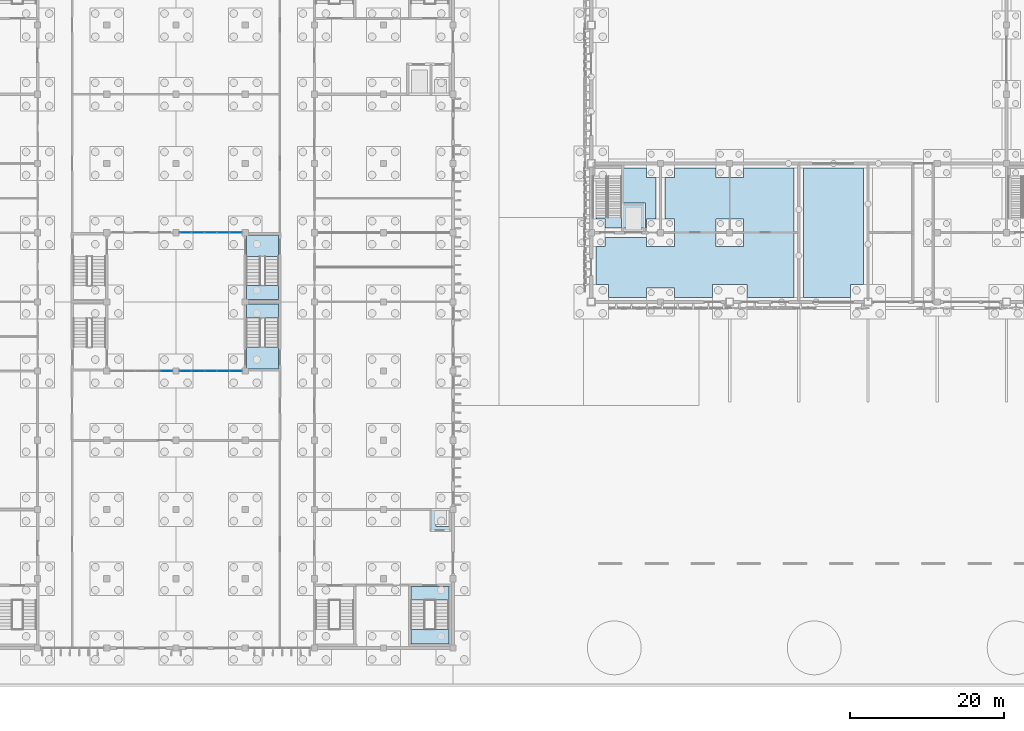
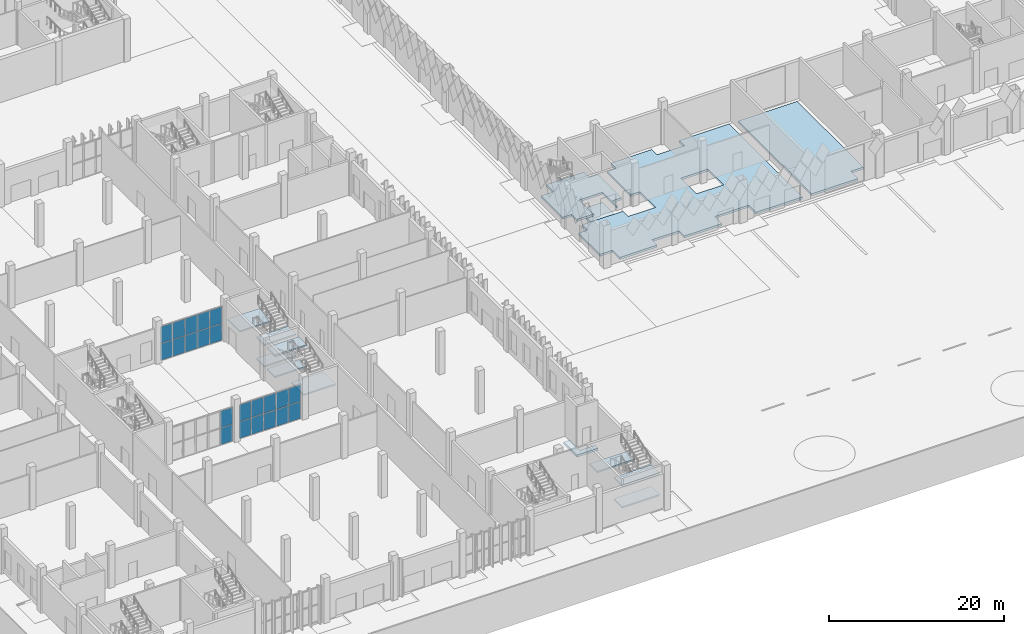
# One storey, part 66 of 198: 22 plates, 14 slabs, 6 elements without a shape of their own.
"""IFC4 building model written with IfcOpenShell, lengths in metres."""

from ifc_helpers import new_model, si_unit, direction, frame, origin, origin_2d, place, context, subcontext, project, spatial, polyline, rectangle, outline, extrude, material, layer, layer_set, type_object, element, aggregate, save


model = new_model("IFC4")

# Units and contexts
model_context = context("Model", 3, precision=1e-05, world=origin(), true_north=direction((0.0, 1.0)))
body_context = subcontext(model_context, "Body", "Model", "MODEL_VIEW")
ifc_project = project(units=[si_unit("LENGTHUNIT", "METRE"), si_unit("AREAUNIT", "SQUARE_METRE"), si_unit("VOLUMEUNIT", "CUBIC_METRE"), si_unit("PLANEANGLEUNIT", "RADIAN"), si_unit("MASSUNIT", "GRAM", prefix="KILO")], contexts=[model_context])

# Site, building, storey
site_placement = place(None, origin())
site = spatial("IfcSite", under=ifc_project, at=site_placement, CompositionType="ELEMENT")
building_placement = place(site_placement, origin())
building = spatial("IfcBuilding", under=site, at=building_placement, Name="Opaline Strait Convention Centre", CompositionType="ELEMENT")
storey_placement = place(building_placement, origin())
storey = spatial("IfcBuildingStorey", under=building, at=storey_placement, Name="L00", CompositionType="ELEMENT", Elevation=0.0)

# Curtain wall, plates
ifc_material_1 = material(Name="Aluminium framed double glazing", Category="aluminium")
ifc_layer_1 = layer(ifc_material_1, 0.199951171875)
ifc_layer_set_1 = layer_set([ifc_layer_1], Name="Aluminium framed double glazing")
curtain_wall_type = type_object("IfcCurtainWallType", Name="Curtain wall 1500 module", PredefinedType="NOTDEFINED", material=ifc_layer_set_1)
curtain_wall_1_placement = place(storey_placement, origin())
curtain_wall_1 = element("IfcCurtainWall", 1, at=curtain_wall_1_placement, inside=storey, type_object=curtain_wall_type, Name="L00 court glazing Sc 1", PredefinedType="NOTDEFINED")
ifc_material_2 = material(Name="Double glazed unit low emissivity", Category="glass")
ifc_layer_2 = layer(ifc_material_2, 0.028076171875)
ifc_layer_set_2 = layer_set([ifc_layer_2], Name="Double glazed unit low emissivity")
plate_type = type_object("IfcPlateType", Name="Curtain wall glass panel 28", PredefinedType="CURTAIN_PANEL", material=ifc_layer_set_2)
plate_1_placement = place(storey_placement, frame((43.76513671875, 45.0, 0.06005859375), z_axis=(0.0, 0.0, 1.0), x_axis=(1.0, 0.0, 0.0)))
plate_1 = element("IfcPlate", 2, at=plate_1_placement, type_object=plate_type, Name="RCW1 panel 5.1", PredefinedType="CURTAIN_PANEL", context=body_context, shape_type="SweptSolid", body=[
    extrude(rectangle(XDim=1.550048828125, YDim=0.028076171875, at=origin_2d()), origin(), (0.0, 0.0, 1.0), 2.320068359375),
])
plate_2_placement = place(storey_placement, frame((43.76513671875, 45.0, 2.43994140625), z_axis=(0.0, 0.0, 1.0), x_axis=(1.0, 0.0, 0.0)))
plate_2 = element("IfcPlate", 3, at=plate_2_placement, type_object=plate_type, Name="RCW1 panel 5.2", PredefinedType="CURTAIN_PANEL", context=body_context, shape_type="SweptSolid", body=[
    extrude(rectangle(XDim=1.550048828125, YDim=0.028076171875, at=origin_2d()), origin(), (0.0, 0.0, 1.0), 2.320068359375),
])
aggregate(curtain_wall_1, [plate_1, plate_2])

curtain_wall_2_placement = place(storey_placement, origin())
curtain_wall_2 = element("IfcCurtainWall", 4, at=curtain_wall_2_placement, inside=storey, type_object=curtain_wall_type, Name="L00 court glazing Sc 2", PredefinedType="NOTDEFINED")
plate_3_placement = place(storey_placement, frame((46.23486328125, 45.0, 0.06005859375), z_axis=(0.0, 0.0, 1.0), x_axis=(1.0, 0.0, 0.0)))
plate_3 = element("IfcPlate", 5, at=plate_3_placement, type_object=plate_type, Name="RCW1 panel 1.1", PredefinedType="CURTAIN_PANEL", context=body_context, shape_type="SweptSolid", body=[
    extrude(rectangle(XDim=1.550048828125, YDim=0.028076171875, at=origin_2d()), origin(), (0.0, 0.0, 1.0), 2.320068359375),
])
plate_4_placement = place(storey_placement, frame((46.23486328125, 45.0, 2.43994140625), z_axis=(0.0, 0.0, 1.0), x_axis=(1.0, 0.0, 0.0)))
plate_4 = element("IfcPlate", 6, at=plate_4_placement, type_object=plate_type, Name="RCW1 panel 1.2", PredefinedType="CURTAIN_PANEL", context=body_context, shape_type="SweptSolid", body=[
    extrude(rectangle(XDim=1.550048828125, YDim=0.028076171875, at=origin_2d()), origin(), (0.0, 0.0, 1.0), 2.320068359375),
])
plate_5_placement = place(storey_placement, frame((47.85986328125, 45.0, 0.06005859375), z_axis=(0.0, 0.0, 1.0), x_axis=(1.0, 0.0, 0.0)))
plate_5 = element("IfcPlate", 7, at=plate_5_placement, type_object=plate_type, Name="RCW1 panel 2.1", PredefinedType="CURTAIN_PANEL", context=body_context, shape_type="SweptSolid", body=[
    extrude(rectangle(XDim=1.580078125, YDim=0.028076171875, at=origin_2d()), origin(), (0.0, 0.0, 1.0), 2.320068359375),
])
plate_6_placement = place(storey_placement, frame((47.85986328125, 45.0, 2.43994140625), z_axis=(0.0, 0.0, 1.0), x_axis=(1.0, 0.0, 0.0)))
plate_6 = element("IfcPlate", 8, at=plate_6_placement, type_object=plate_type, Name="RCW1 panel 2.2", PredefinedType="CURTAIN_PANEL", context=body_context, shape_type="SweptSolid", body=[
    extrude(rectangle(XDim=1.580078125, YDim=0.028076171875, at=origin_2d()), origin(), (0.0, 0.0, 1.0), 2.320068359375),
])
plate_7_placement = place(storey_placement, frame((49.5, 45.0, 0.06005859375), z_axis=(0.0, 0.0, 1.0), x_axis=(1.0, 0.0, 0.0)))
plate_7 = element("IfcPlate", 9, at=plate_7_placement, type_object=plate_type, Name="RCW1 panel 3.1", PredefinedType="CURTAIN_PANEL", context=body_context, shape_type="SweptSolid", body=[
    extrude(rectangle(XDim=1.580078125, YDim=0.028076171875, at=origin_2d()), origin(), (0.0, 0.0, 1.0), 2.320068359375),
])
plate_8_placement = place(storey_placement, frame((49.5, 45.0, 2.43994140625), z_axis=(0.0, 0.0, 1.0), x_axis=(1.0, 0.0, 0.0)))
plate_8 = element("IfcPlate", 10, at=plate_8_placement, type_object=plate_type, Name="RCW1 panel 3.2", PredefinedType="CURTAIN_PANEL", context=body_context, shape_type="SweptSolid", body=[
    extrude(rectangle(XDim=1.580078125, YDim=0.028076171875, at=origin_2d()), origin(), (0.0, 0.0, 1.0), 2.320068359375),
])
plate_9_placement = place(storey_placement, frame((51.14013671875, 45.0, 0.06005859375), z_axis=(0.0, 0.0, 1.0), x_axis=(1.0, 0.0, 0.0)))
plate_9 = element("IfcPlate", 11, at=plate_9_placement, type_object=plate_type, Name="RCW1 panel 4.1", PredefinedType="CURTAIN_PANEL", context=body_context, shape_type="SweptSolid", body=[
    extrude(rectangle(XDim=1.580078125, YDim=0.028076171875, at=origin_2d()), origin(), (0.0, 0.0, 1.0), 2.320068359375),
])
plate_10_placement = place(storey_placement, frame((51.14013671875, 45.0, 2.43994140625), z_axis=(0.0, 0.0, 1.0), x_axis=(1.0, 0.0, 0.0)))
plate_10 = element("IfcPlate", 12, at=plate_10_placement, type_object=plate_type, Name="RCW1 panel 4.2", PredefinedType="CURTAIN_PANEL", context=body_context, shape_type="SweptSolid", body=[
    extrude(rectangle(XDim=1.580078125, YDim=0.028076171875, at=origin_2d()), origin(), (0.0, 0.0, 1.0), 2.320068359375),
])
plate_11_placement = place(storey_placement, frame((52.76513671875, 45.0, 0.06005859375), z_axis=(0.0, 0.0, 1.0), x_axis=(1.0, 0.0, 0.0)))
plate_11 = element("IfcPlate", 13, at=plate_11_placement, type_object=plate_type, Name="RCW1 panel 5.1", PredefinedType="CURTAIN_PANEL", context=body_context, shape_type="SweptSolid", body=[
    extrude(rectangle(XDim=1.550048828125, YDim=0.028076171875, at=origin_2d()), origin(), (0.0, 0.0, 1.0), 2.320068359375),
])
plate_12_placement = place(storey_placement, frame((52.76513671875, 45.0, 2.43994140625), z_axis=(0.0, 0.0, 1.0), x_axis=(1.0, 0.0, 0.0)))
plate_12 = element("IfcPlate", 14, at=plate_12_placement, type_object=plate_type, Name="RCW1 panel 5.2", PredefinedType="CURTAIN_PANEL", context=body_context, shape_type="SweptSolid", body=[
    extrude(rectangle(XDim=1.550048828125, YDim=0.028076171875, at=origin_2d()), origin(), (0.0, 0.0, 1.0), 2.320068359375),
])
aggregate(curtain_wall_2, [plate_3, plate_4, plate_5, plate_6, plate_7, plate_8, plate_9, plate_10, plate_11, plate_12])

curtain_wall_3_placement = place(storey_placement, origin())
curtain_wall_3 = element("IfcCurtainWall", 15, at=curtain_wall_3_placement, inside=storey, type_object=curtain_wall_type, Name="L00 court glazing Nc 2", PredefinedType="NOTDEFINED")
plate_13_placement = place(storey_placement, frame((46.23486328125, 63.0, 0.06005859375), z_axis=(0.0, 0.0, 1.0), x_axis=(1.0, 0.0, 0.0)))
plate_13 = element("IfcPlate", 16, at=plate_13_placement, type_object=plate_type, Name="RCW1 panel 1.1", PredefinedType="CURTAIN_PANEL", context=body_context, shape_type="SweptSolid", body=[
    extrude(rectangle(XDim=1.550048828125, YDim=0.028076171875, at=origin_2d()), origin(), (0.0, 0.0, 1.0), 2.320068359375),
])
plate_14_placement = place(storey_placement, frame((46.23486328125, 63.0, 2.43994140625), z_axis=(0.0, 0.0, 1.0), x_axis=(1.0, 0.0, 0.0)))
plate_14 = element("IfcPlate", 17, at=plate_14_placement, type_object=plate_type, Name="RCW1 panel 1.2", PredefinedType="CURTAIN_PANEL", context=body_context, shape_type="SweptSolid", body=[
    extrude(rectangle(XDim=1.550048828125, YDim=0.028076171875, at=origin_2d()), origin(), (0.0, 0.0, 1.0), 2.320068359375),
])
plate_15_placement = place(storey_placement, frame((47.85986328125, 63.0, 0.06005859375), z_axis=(0.0, 0.0, 1.0), x_axis=(1.0, 0.0, 0.0)))
plate_15 = element("IfcPlate", 18, at=plate_15_placement, type_object=plate_type, Name="RCW1 panel 2.1", PredefinedType="CURTAIN_PANEL", context=body_context, shape_type="SweptSolid", body=[
    extrude(rectangle(XDim=1.580078125, YDim=0.028076171875, at=origin_2d()), origin(), (0.0, 0.0, 1.0), 2.320068359375),
])
plate_16_placement = place(storey_placement, frame((47.85986328125, 63.0, 2.43994140625), z_axis=(0.0, 0.0, 1.0), x_axis=(1.0, 0.0, 0.0)))
plate_16 = element("IfcPlate", 19, at=plate_16_placement, type_object=plate_type, Name="RCW1 panel 2.2", PredefinedType="CURTAIN_PANEL", context=body_context, shape_type="SweptSolid", body=[
    extrude(rectangle(XDim=1.580078125, YDim=0.028076171875, at=origin_2d()), origin(), (0.0, 0.0, 1.0), 2.320068359375),
])
plate_17_placement = place(storey_placement, frame((49.5, 63.0, 0.06005859375), z_axis=(0.0, 0.0, 1.0), x_axis=(1.0, 0.0, 0.0)))
plate_17 = element("IfcPlate", 20, at=plate_17_placement, type_object=plate_type, Name="RCW1 panel 3.1", PredefinedType="CURTAIN_PANEL", context=body_context, shape_type="SweptSolid", body=[
    extrude(rectangle(XDim=1.580078125, YDim=0.028076171875, at=origin_2d()), origin(), (0.0, 0.0, 1.0), 2.320068359375),
])
plate_18_placement = place(storey_placement, frame((49.5, 63.0, 2.43994140625), z_axis=(0.0, 0.0, 1.0), x_axis=(1.0, 0.0, 0.0)))
plate_18 = element("IfcPlate", 21, at=plate_18_placement, type_object=plate_type, Name="RCW1 panel 3.2", PredefinedType="CURTAIN_PANEL", context=body_context, shape_type="SweptSolid", body=[
    extrude(rectangle(XDim=1.580078125, YDim=0.028076171875, at=origin_2d()), origin(), (0.0, 0.0, 1.0), 2.320068359375),
])
plate_19_placement = place(storey_placement, frame((51.14013671875, 63.0, 0.06005859375), z_axis=(0.0, 0.0, 1.0), x_axis=(1.0, 0.0, 0.0)))
plate_19 = element("IfcPlate", 22, at=plate_19_placement, type_object=plate_type, Name="RCW1 panel 4.1", PredefinedType="CURTAIN_PANEL", context=body_context, shape_type="SweptSolid", body=[
    extrude(rectangle(XDim=1.580078125, YDim=0.028076171875, at=origin_2d()), origin(), (0.0, 0.0, 1.0), 2.320068359375),
])
plate_20_placement = place(storey_placement, frame((51.14013671875, 63.0, 2.43994140625), z_axis=(0.0, 0.0, 1.0), x_axis=(1.0, 0.0, 0.0)))
plate_20 = element("IfcPlate", 23, at=plate_20_placement, type_object=plate_type, Name="RCW1 panel 4.2", PredefinedType="CURTAIN_PANEL", context=body_context, shape_type="SweptSolid", body=[
    extrude(rectangle(XDim=1.580078125, YDim=0.028076171875, at=origin_2d()), origin(), (0.0, 0.0, 1.0), 2.320068359375),
])
plate_21_placement = place(storey_placement, frame((52.76513671875, 63.0, 0.06005859375), z_axis=(0.0, 0.0, 1.0), x_axis=(1.0, 0.0, 0.0)))
plate_21 = element("IfcPlate", 24, at=plate_21_placement, type_object=plate_type, Name="RCW1 panel 5.1", PredefinedType="CURTAIN_PANEL", context=body_context, shape_type="SweptSolid", body=[
    extrude(rectangle(XDim=1.550048828125, YDim=0.028076171875, at=origin_2d()), origin(), (0.0, 0.0, 1.0), 2.320068359375),
])
plate_22_placement = place(storey_placement, frame((52.76513671875, 63.0, 2.43994140625), z_axis=(0.0, 0.0, 1.0), x_axis=(1.0, 0.0, 0.0)))
plate_22 = element("IfcPlate", 25, at=plate_22_placement, type_object=plate_type, Name="RCW1 panel 5.2", PredefinedType="CURTAIN_PANEL", context=body_context, shape_type="SweptSolid", body=[
    extrude(rectangle(XDim=1.550048828125, YDim=0.028076171875, at=origin_2d()), origin(), (0.0, 0.0, 1.0), 2.320068359375),
])
aggregate(curtain_wall_3, [plate_13, plate_14, plate_15, plate_16, plate_17, plate_18, plate_19, plate_20, plate_21, plate_22])

# Slabs
ifc_material_3 = material(Name="Concrete C30", Category="concrete")
ifc_layer_3 = layer(ifc_material_3, 0.300048828125)
ifc_layer_set_3 = layer_set([ifc_layer_3], Name="Concrete C30")
slab_type_1 = type_object("IfcSlabType", Name="Ground slab 300 C30", PredefinedType="BASESLAB", material=ifc_layer_set_3)
slab_1_placement = place(storey_placement, frame((0.0, 0.0, -0.300048828125)))
element("IfcSlab", 26, at=slab_1_placement, inside=storey, type_object=slab_type_1, Name="Ground slab pour S2", PredefinedType="BASESLAB", context=body_context, shape_type="SweptSolid", body=[
    extrude(outline(polyline([(99.60009765625, 56.25), (99.60009765625, 61.199951171875), (100.800048828125, 61.199951171875), (100.800048828125, 62.39990234375), (106.199951171875, 62.39990234375), (106.199951171875, 61.199951171875), (109.800048828125, 61.199951171875), (109.800048828125, 64.800048828125), (108.60009765625, 64.800048828125), (108.60009765625, 70.199951171875), (109.800048828125, 70.199951171875), (109.800048828125, 71.39990234375), (115.199951171875, 71.39990234375), (115.199951171875, 70.199951171875), (118.800048828125, 70.199951171875), (118.800048828125, 71.39990234375), (125.39990234375, 71.39990234375), (125.39990234375, 54.60009765625), (119.25, 54.60009765625), (119.25, 56.25), (114.75, 56.25), (114.75, 54.60009765625), (109.800048828125, 54.60009765625), (109.800048828125, 55.800048828125), (106.199951171875, 55.800048828125), (106.199951171875, 54.60009765625), (101.25, 54.60009765625), (101.25, 56.25), (99.60009765625, 56.25)]), holes=[polyline([(115.199951171875, 61.199951171875), (118.800048828125, 61.199951171875), (118.800048828125, 64.800048828125), (115.199951171875, 64.800048828125), (115.199951171875, 61.199951171875)])]), origin(), (0.0, 0.0, 1.0), 0.300048828125),
])
slab_2_placement = place(storey_placement, frame((0.0, 0.0, -0.300048828125)))
element("IfcSlab", 27, at=slab_2_placement, inside=storey, type_object=slab_type_1, Name="Ground slab pour S5", PredefinedType="BASESLAB", context=body_context, shape_type="SweptSolid", body=[
    extrude(outline(polyline([(126.60009765625, 54.60009765625), (126.60009765625, 71.39990234375), (134.39990234375, 71.39990234375), (134.39990234375, 56.25), (132.75, 56.25), (132.75, 54.60009765625), (126.60009765625, 54.60009765625)])), origin(), (0.0, 0.0, 1.0), 0.300048828125),
])
slab_3_placement = place(storey_placement, frame((0.0, 0.0, -0.300048828125)))
element("IfcSlab", 28, at=slab_3_placement, inside=storey, type_object=slab_type_1, Name="Ground slab pour S8", PredefinedType="BASESLAB", context=body_context, shape_type="SweptSolid", body=[
    extrude(outline(polyline([(99.60009765625, 64.800048828125), (99.60009765625, 69.75), (101.25, 69.75), (101.25, 71.39990234375), (106.199951171875, 71.39990234375), (106.199951171875, 70.199951171875), (107.39990234375, 70.199951171875), (107.39990234375, 64.800048828125), (106.199951171875, 64.800048828125), (106.199951171875, 63.60009765625), (106.050048828125, 63.60009765625), (106.050048828125, 66.85009765625), (102.949951171875, 66.85009765625), (102.949951171875, 63.60009765625), (100.800048828125, 63.60009765625), (100.800048828125, 64.800048828125), (99.60009765625, 64.800048828125)])), origin(), (0.0, 0.0, 1.0), 0.300048828125),
])
ifc_material_4 = material(Name="Concrete C35", Category="concrete")
ifc_layer_4 = layer(ifc_material_4, 0.300048828125)
ifc_layer_set_4 = layer_set([ifc_layer_4], Name="Concrete C35")
slab_type_2 = type_object("IfcSlabType", Name="Lift pit slab 300 C35", PredefinedType="BASESLAB", material=ifc_layer_set_4)
slab_4_placement = place(storey_placement, frame((0.0, 0.0, -1.699951171875)))
element("IfcSlab", 29, at=slab_4_placement, inside=storey, type_object=slab_type_2, Name="Goods lift 1 pit slab", PredefinedType="BASESLAB", context=body_context, shape_type="SweptSolid", body=[
    extrude(outline(polyline([(102.949951171875, 63.60009765625), (106.050048828125, 63.60009765625), (106.050048828125, 66.85009765625), (102.949951171875, 66.85009765625), (102.949951171875, 63.60009765625)])), origin(), (0.0, 0.0, 1.0), 0.300048828125),
])
slab_5_placement = place(storey_placement, frame((0.0, 0.0, -1.300048828125)))
element("IfcSlab", 30, at=slab_5_placement, inside=storey, type_object=slab_type_2, Name="Lift pit slab SE", PredefinedType="BASESLAB", context=body_context, shape_type="SweptSolid", body=[
    extrude(outline(polyline([(80.800048828125, 24.14990234375), (78.0, 24.14990234375), (78.0, 27.14990234375), (78.800048828125, 27.14990234375), (78.800048828125, 24.800048828125), (80.800048828125, 24.800048828125), (80.800048828125, 24.14990234375)])), origin(), (0.0, 0.0, 1.0), 0.300048828125),
])

# Stair, slabs
ifc_material_5 = material(Name="Concrete C40", Category="concrete")
stair_type = type_object("IfcStairType", Name="Exit stair two flights 1800 C40", PredefinedType="HALF_TURN_STAIR", material=ifc_material_5)
stair_1_placement = place(storey_placement, origin())
stair_1 = element("IfcStair", 31, at=stair_1_placement, inside=storey, type_object=stair_type, Name="L00 SEA", ObjectType="RST1", PredefinedType="HALF_TURN_STAIR")
ifc_layer_5 = layer(ifc_material_5, 0.199951171875)
ifc_layer_set_5 = layer_set([ifc_layer_5], Name="Concrete C40")
slab_type_3 = type_object("IfcSlabType", Name="Stair landing 200 C40", PredefinedType="LANDING", material=ifc_layer_set_5)
slab_6_placement = place(storey_placement, frame((0.0, 0.0, 1.300048828125)))
slab_6 = element("IfcSlab", 32, at=slab_6_placement, type_object=slab_type_3, Name="SEA landing 1", ObjectType="RSL1", PredefinedType="LANDING", context=body_context, shape_type="SweptSolid", body=[
    extrude(outline(polyline([(75.550048828125, 11.419921875), (75.550048828125, 9.5), (80.5, 9.5), (80.5, 11.419921875), (75.550048828125, 11.419921875)])), origin(), (0.0, 0.0, 1.0), 0.199951171875),
])
slab_7_placement = place(storey_placement, frame((0.0, 0.0, 2.800048828125)))
slab_7 = element("IfcSlab", 33, at=slab_7_placement, type_object=slab_type_3, Name="SEA landing 2", ObjectType="RSL1", PredefinedType="LANDING", context=body_context, shape_type="SweptSolid", body=[
    extrude(outline(polyline([(75.550048828125, 17.0), (75.550048828125, 15.199951171875), (80.5, 15.199951171875), (80.5, 17.0), (75.550048828125, 17.0)])), origin(), (0.0, 0.0, 1.0), 0.199951171875),
])
slab_8_placement = place(storey_placement, frame((0.0, 0.0, 4.300048828125)))
slab_8 = element("IfcSlab", 34, at=slab_8_placement, type_object=slab_type_3, Name="SEA landing 3", ObjectType="RSL1", PredefinedType="LANDING", context=body_context, shape_type="SweptSolid", body=[
    extrude(outline(polyline([(75.550048828125, 11.419921875), (75.550048828125, 9.5), (80.5, 9.5), (80.5, 11.419921875), (75.550048828125, 11.419921875)])), origin(), (0.0, 0.0, 1.0), 0.199951171875),
])
aggregate(stair_1, [slab_6, slab_7, slab_8])

stair_2_placement = place(storey_placement, origin())
stair_2 = element("IfcStair", 35, at=stair_2_placement, inside=storey, type_object=stair_type, Name="L00 ME1", ObjectType="RST1", PredefinedType="HALF_TURN_STAIR")
slab_9_placement = place(storey_placement, frame((0.0, 0.0, 1.300048828125)))
slab_9 = element("IfcSlab", 36, at=slab_9_placement, type_object=slab_type_3, Name="ME1 landing 1", ObjectType="RSL1", PredefinedType="LANDING", context=body_context, shape_type="SweptSolid", body=[
    extrude(outline(polyline([(58.35009765625, 51.8798828125), (58.35009765625, 53.699951171875), (54.14990234375, 53.699951171875), (54.14990234375, 51.8798828125), (58.35009765625, 51.8798828125)])), origin(), (0.0, 0.0, 1.0), 0.199951171875),
])
slab_10_placement = place(storey_placement, frame((0.0, 0.0, 2.800048828125)))
slab_10 = element("IfcSlab", 37, at=slab_10_placement, type_object=slab_type_3, Name="ME1 landing 2", ObjectType="RSL1", PredefinedType="LANDING", context=body_context, shape_type="SweptSolid", body=[
    extrude(outline(polyline([(58.35009765625, 45.300048828125), (58.35009765625, 48.10009765625), (54.14990234375, 48.10009765625), (54.14990234375, 45.300048828125), (58.35009765625, 45.300048828125)])), origin(), (0.0, 0.0, 1.0), 0.199951171875),
])
slab_11_placement = place(storey_placement, frame((0.0, 0.0, 4.300048828125)))
slab_11 = element("IfcSlab", 38, at=slab_11_placement, type_object=slab_type_3, Name="ME1 landing 3", ObjectType="RSL1", PredefinedType="LANDING", context=body_context, shape_type="SweptSolid", body=[
    extrude(outline(polyline([(58.35009765625, 51.8798828125), (58.35009765625, 53.699951171875), (54.14990234375, 53.699951171875), (54.14990234375, 51.8798828125), (58.35009765625, 51.8798828125)])), origin(), (0.0, 0.0, 1.0), 0.199951171875),
])
aggregate(stair_2, [slab_9, slab_10, slab_11])

stair_3_placement = place(storey_placement, origin())
stair_3 = element("IfcStair", 39, at=stair_3_placement, inside=storey, type_object=stair_type, Name="L00 ME2", ObjectType="RST1", PredefinedType="HALF_TURN_STAIR")
slab_12_placement = place(storey_placement, frame((0.0, 0.0, 1.300048828125)))
slab_12 = element("IfcSlab", 40, at=slab_12_placement, type_object=slab_type_3, Name="ME2 landing 1", ObjectType="RSL1", PredefinedType="LANDING", context=body_context, shape_type="SweptSolid", body=[
    extrude(outline(polyline([(54.14990234375, 56.1201171875), (54.14990234375, 54.300048828125), (58.35009765625, 54.300048828125), (58.35009765625, 56.1201171875), (54.14990234375, 56.1201171875)])), origin(), (0.0, 0.0, 1.0), 0.199951171875),
])
slab_13_placement = place(storey_placement, frame((0.0, 0.0, 2.800048828125)))
slab_13 = element("IfcSlab", 41, at=slab_13_placement, type_object=slab_type_3, Name="ME2 landing 2", ObjectType="RSL1", PredefinedType="LANDING", context=body_context, shape_type="SweptSolid", body=[
    extrude(outline(polyline([(54.14990234375, 62.699951171875), (54.14990234375, 59.89990234375), (58.35009765625, 59.89990234375), (58.35009765625, 62.699951171875), (54.14990234375, 62.699951171875)])), origin(), (0.0, 0.0, 1.0), 0.199951171875),
])
slab_14_placement = place(storey_placement, frame((0.0, 0.0, 4.300048828125)))
slab_14 = element("IfcSlab", 42, at=slab_14_placement, type_object=slab_type_3, Name="ME2 landing 3", ObjectType="RSL1", PredefinedType="LANDING", context=body_context, shape_type="SweptSolid", body=[
    extrude(outline(polyline([(54.14990234375, 56.1201171875), (54.14990234375, 54.300048828125), (58.35009765625, 54.300048828125), (58.35009765625, 56.1201171875), (54.14990234375, 56.1201171875)])), origin(), (0.0, 0.0, 1.0), 0.199951171875),
])
aggregate(stair_3, [slab_12, slab_13, slab_14])

save(model, "model.ifc")
